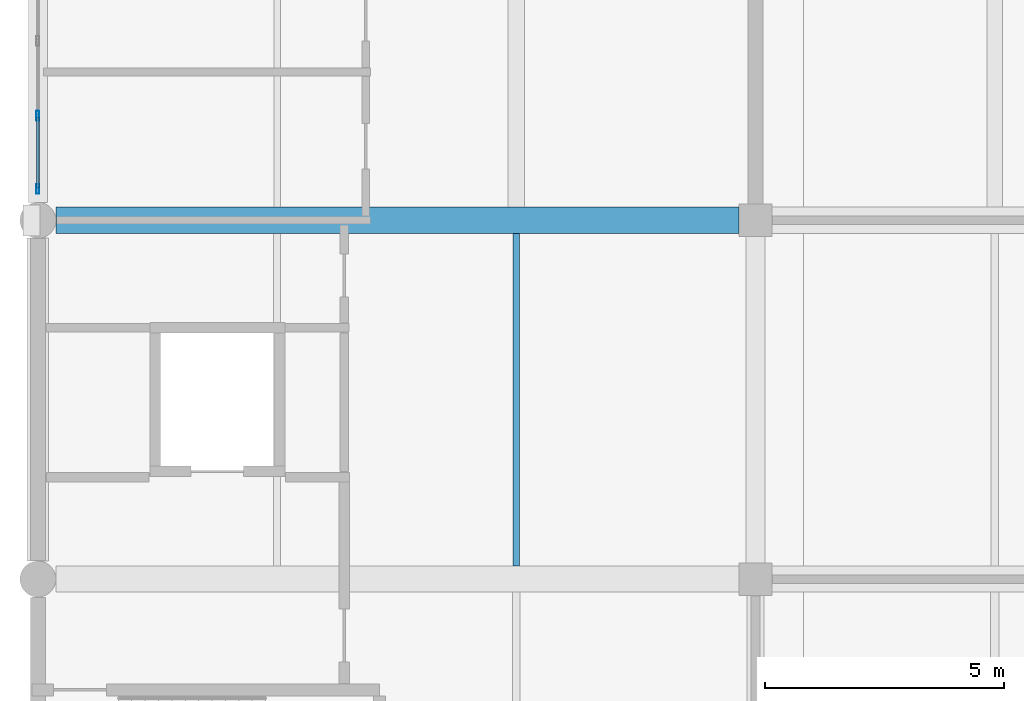
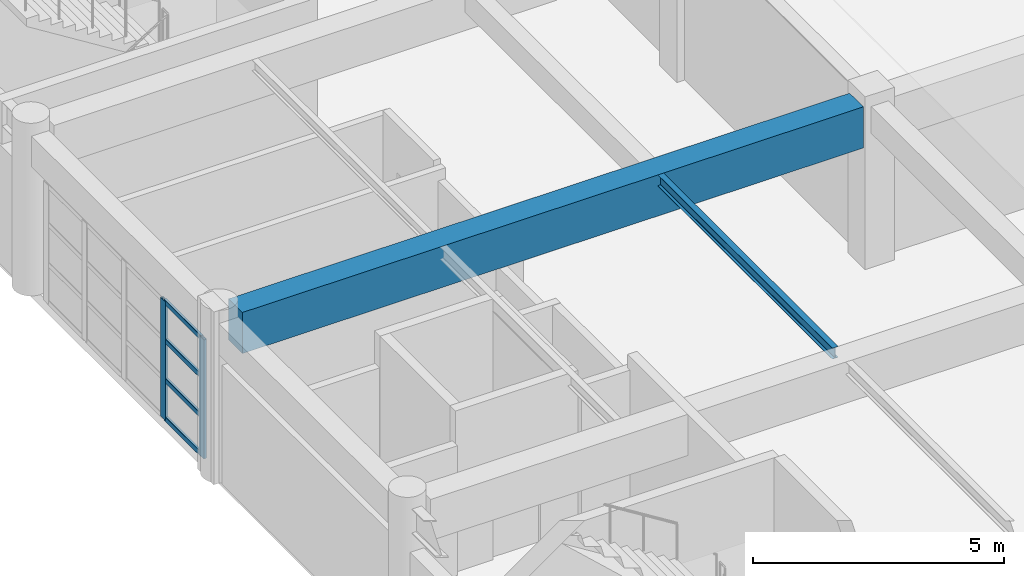
# One storey, part 16 of 132: 6 members, 2 beams, 1 element without a shape of its own.
"""IFC4 building model written with IfcOpenShell, lengths in metres."""

from ifc_helpers import new_model, si_unit, direction, frame, origin, origin_2d, place, context, subcontext, project, spatial, rectangle, hollow_rectangle, i_section, extrude, material, material_profile, profile_set, type_object, element, aggregate, save


model = new_model("IFC4")

# Units and contexts
model_context = context("Model", 3, precision=1e-05, world=origin(), true_north=direction((0.0, 1.0)))
body_context = subcontext(model_context, "Body", "Model", "MODEL_VIEW")
ifc_project = project(units=[si_unit("LENGTHUNIT", "METRE"), si_unit("AREAUNIT", "SQUARE_METRE"), si_unit("VOLUMEUNIT", "CUBIC_METRE"), si_unit("PLANEANGLEUNIT", "RADIAN"), si_unit("MASSUNIT", "GRAM", prefix="KILO")], contexts=[model_context])

# Site, building, storey
site_placement = place(None, origin())
site = spatial("IfcSite", under=ifc_project, at=site_placement, CompositionType="ELEMENT")
building_placement = place(site_placement, origin())
building = spatial("IfcBuilding", under=site, at=building_placement, Name="Qasida Concert Hall", CompositionType="ELEMENT")
storey_placement = place(building_placement, frame((0.0, 0.0, 4.800048828125)))
storey = spatial("IfcBuildingStorey", under=building, at=storey_placement, Name="L01", CompositionType="ELEMENT", Elevation=4.800048828125)

# Beams
ifc_material_1 = material(Name="Concrete C40/50", Category="concrete")
ifc_material_profile_1 = material_profile(ifc_material_1, rectangle(XDim=0.550048828125, YDim=1.0, at=origin_2d()), Name="RC 550x1000")
ifc_profile_set_1 = profile_set([ifc_material_profile_1], Name="Concrete C40/50")
beam_type_1 = type_object("IfcBeamType", Name="BM-G3", PredefinedType="USERDEFINED", material=ifc_profile_set_1)
beam_1_placement = place(storey_placement, frame((0.375, 37.5, 3.419921875), z_axis=(1.0, 0.0, 0.0), x_axis=(0.0, 1.0, 0.0)))
element("IfcBeam", 1, at=beam_1_placement, inside=storey, type_object=beam_type_1, Name="Primary girder 0911", ObjectType="GIRDER", PredefinedType="USERDEFINED", context=body_context, shape_type="SweptSolid", body=[
    extrude(rectangle(XDim=0.550048828125, YDim=1.0, at=origin_2d()), origin(), (0.0, 0.0, 1.0), 14.284912109375),
])
ifc_material_2 = material(Name="Steel S355J2", Category="steel")
ifc_material_profile_2 = material_profile(ifc_material_2, i_section(OverallWidth=0.135009765625, OverallDepth=0.27001953125, WebThickness=0.006591796875, FlangeThickness=0.01025390625, FilletRadius=0.014892578125, at=origin_2d()), Name="IPE 270")
ifc_profile_set_2 = profile_set([ifc_material_profile_2], Name="Steel S355J2")
beam_type_2 = type_object("IfcBeamType", Name="BM-J6", PredefinedType="JOIST", material=ifc_profile_set_2)
beam_2_placement = place(storey_placement, frame((10.0, 30.27490234375, 3.784912109375), z_axis=(0.0, 1.0, 0.0), x_axis=(-1.0, 0.0, 0.0)))
element("IfcBeam", 2, at=beam_2_placement, inside=storey, type_object=beam_type_2, Name="L01 secondary joist 0956", PredefinedType="JOIST", context=body_context, shape_type="SweptSolid", body=[
    extrude(i_section(OverallWidth=0.135009765625, OverallDepth=0.27001953125, WebThickness=0.006591796875, FlangeThickness=0.01025390625, FilletRadius=0.014892578125, at=origin_2d()), origin(), (0.0, 0.0, 1.0), 6.9501953125),
])

# Curtain wall, members
ifc_material_3 = material(Name="Architectural bronze-anodized aluminium and low-E glass", Category="aluminium")
curtain_wall_type = type_object("IfcCurtainWallType", Name="CW-07", PredefinedType="NOTDEFINED", material=ifc_material_3)
curtain_wall_placement = place(storey_placement, origin())
curtain_wall = element("IfcCurtainWall", 3, at=curtain_wall_placement, inside=storey, type_object=curtain_wall_type, Name="L01 curtain wall CW-07 0096", PredefinedType="NOTDEFINED")
ifc_material_4 = material(Name="Architectural bronze-anodized aluminium EN AW-6063", Category="aluminium")
ifc_material_profile_3 = material_profile(ifc_material_4, hollow_rectangle(XDim=0.06494140625, YDim=0.199951171875, WallThickness=0.0048828125, InnerFilletRadius=0.0048828125, OuterFilletRadius=0.010009765625, at=origin_2d()), Name="CWM 200x65x5")
ifc_profile_set_3 = profile_set([ifc_material_profile_3], Name="Architectural bronze-anodized aluminium EN AW-6063")
member_type_1 = type_object("IfcMemberType", Name="MB-CWM-2", PredefinedType="MULLION", material=ifc_profile_set_3)
member_1_placement = place(storey_placement, frame((0.0, 38.152587890625, 0.0), z_axis=(0.0, 0.0, 1.0), x_axis=(-1.0, 0.0, 0.0)))
member_1 = element("IfcMember", 4, at=member_1_placement, type_object=member_type_1, Name="CW-07 mullion 1", PredefinedType="MULLION", context=body_context, shape_type="SweptSolid", body=[
    extrude(hollow_rectangle(XDim=0.06494140625, YDim=0.199951171875, WallThickness=0.0048828125, InnerFilletRadius=0.0048828125, OuterFilletRadius=0.010009765625, at=origin_2d()), origin(), (0.0, 0.0, 1.0), 2.889892578125),
])
member_2_placement = place(storey_placement, frame((0.0, 39.68505859375, 0.0), z_axis=(0.0, 0.0, 1.0), x_axis=(-1.0, 0.0, 0.0)))
member_2 = element("IfcMember", 5, at=member_2_placement, type_object=member_type_1, Name="CW-07 mullion 2", PredefinedType="MULLION", context=body_context, shape_type="SweptSolid", body=[
    extrude(hollow_rectangle(XDim=0.06494140625, YDim=0.199951171875, WallThickness=0.0048828125, InnerFilletRadius=0.0048828125, OuterFilletRadius=0.010009765625, at=origin_2d()), origin(), (0.0, 0.0, 1.0), 2.889892578125),
])
ifc_material_profile_4 = material_profile(ifc_material_4, hollow_rectangle(XDim=0.06005859375, YDim=0.1201171875, WallThickness=0.00390625, InnerFilletRadius=0.00390625, OuterFilletRadius=0.008056640625, at=origin_2d()), Name="CWT 120x60x4")
ifc_profile_set_4 = profile_set([ifc_material_profile_4], Name="Architectural bronze-anodized aluminium EN AW-6063")
member_type_2 = type_object("IfcMemberType", Name="MB-CWT-2", PredefinedType="USERDEFINED", material=ifc_profile_set_4)
member_3_placement = place(storey_placement, frame((0.0, 38.18505859375, 0.030029296875), z_axis=(0.0, 1.0, 0.0), x_axis=(-1.0, 0.0, 0.0)))
member_3 = element("IfcMember", 6, at=member_3_placement, type_object=member_type_2, Name="CW-07 transom 1.1", ObjectType="TRANSOM", PredefinedType="USERDEFINED", context=body_context, shape_type="SweptSolid", body=[
    extrude(hollow_rectangle(XDim=0.06005859375, YDim=0.1201171875, WallThickness=0.00390625, InnerFilletRadius=0.00390625, OuterFilletRadius=0.008056640625, at=origin_2d()), origin(), (0.0, 0.0, 1.0), 1.467529296875),
])
member_4_placement = place(storey_placement, frame((0.0, 38.18505859375, 0.963134765625), z_axis=(0.0, 1.0, 0.0), x_axis=(-1.0, 0.0, 0.0)))
member_4 = element("IfcMember", 7, at=member_4_placement, type_object=member_type_2, Name="CW-07 transom 1.2", ObjectType="TRANSOM", PredefinedType="USERDEFINED", context=body_context, shape_type="SweptSolid", body=[
    extrude(hollow_rectangle(XDim=0.06005859375, YDim=0.1201171875, WallThickness=0.00390625, InnerFilletRadius=0.00390625, OuterFilletRadius=0.008056640625, at=origin_2d()), origin(), (0.0, 0.0, 1.0), 1.467529296875),
])
member_5_placement = place(storey_placement, frame((0.0, 38.18505859375, 1.9267578125), z_axis=(0.0, 1.0, 0.0), x_axis=(-1.0, 0.0, 0.0)))
member_5 = element("IfcMember", 8, at=member_5_placement, type_object=member_type_2, Name="CW-07 transom 1.3", ObjectType="TRANSOM", PredefinedType="USERDEFINED", context=body_context, shape_type="SweptSolid", body=[
    extrude(hollow_rectangle(XDim=0.06005859375, YDim=0.1201171875, WallThickness=0.00390625, InnerFilletRadius=0.00390625, OuterFilletRadius=0.008056640625, at=origin_2d()), origin(), (0.0, 0.0, 1.0), 1.467529296875),
])
member_6_placement = place(storey_placement, frame((0.0, 38.18505859375, 2.85986328125), z_axis=(0.0, 1.0, 0.0), x_axis=(-1.0, 0.0, 0.0)))
member_6 = element("IfcMember", 9, at=member_6_placement, type_object=member_type_2, Name="CW-07 transom 1.4", ObjectType="TRANSOM", PredefinedType="USERDEFINED", context=body_context, shape_type="SweptSolid", body=[
    extrude(hollow_rectangle(XDim=0.06005859375, YDim=0.1201171875, WallThickness=0.00390625, InnerFilletRadius=0.00390625, OuterFilletRadius=0.008056640625, at=origin_2d()), origin(), (0.0, 0.0, 1.0), 1.467529296875),
])
aggregate(curtain_wall, [member_1, member_2, member_3, member_4, member_5, member_6])

save(model, "model.ifc")
